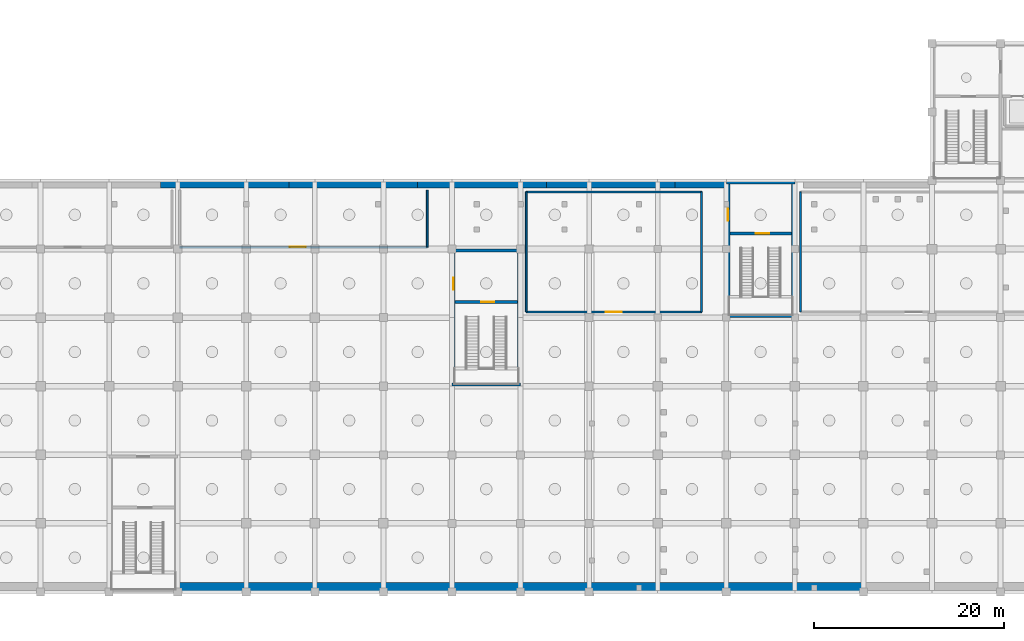
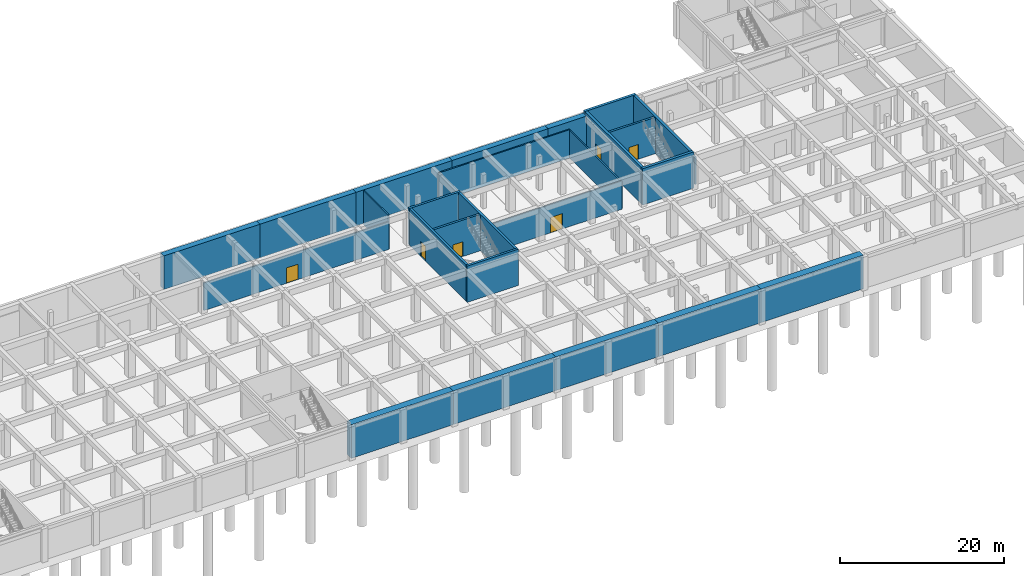
# One storey, part 8 of 15: 27 walls, 6 doors, 6 openings.
"""IFC4 building model written with IfcOpenShell, lengths in metres."""

from ifc_helpers import new_model, si_unit, direction, frame, frame_2d, origin, place, context, subcontext, project, spatial, rectangle, extrude, material, layer, layer_set, type_object, element, fill, save


model = new_model("IFC4")

# Units and contexts
model_context = context("Model", 3, precision=1e-05, world=origin(), true_north=direction((0.0, 1.0)))
body_context = subcontext(model_context, "Body", "Model", "MODEL_VIEW")
ifc_project = project(units=[si_unit("LENGTHUNIT", "METRE"), si_unit("AREAUNIT", "SQUARE_METRE"), si_unit("VOLUMEUNIT", "CUBIC_METRE"), si_unit("PLANEANGLEUNIT", "RADIAN"), si_unit("MASSUNIT", "GRAM", prefix="KILO")], contexts=[model_context])

# Site, building, storey
site_placement = place(None, origin())
site = spatial("IfcSite", under=ifc_project, at=site_placement, CompositionType="ELEMENT")
building_placement = place(site_placement, origin())
building = spatial("IfcBuilding", under=site, at=building_placement, Name="Leyfeld Transit Interchange", CompositionType="ELEMENT")
storey_placement = place(building_placement, frame((0.0, 0.0, -10.800048828125)))
storey = spatial("IfcBuildingStorey", under=building, at=storey_placement, Name="B02", CompositionType="ELEMENT", Elevation=-10.800048828125)

# Walls
ifc_material_1 = material(Name="Concrete C35/45", Category="concrete")
ifc_layer_1 = layer(ifc_material_1, 1.0, Name="Concrete C35/45")
ifc_layer_set_1 = layer_set([ifc_layer_1], Name="Concrete C35/45")
wall_type_1 = type_object("IfcWallType", Name="WL-DW-1000", PredefinedType="USERDEFINED", material=ifc_layer_set_1)
wall_1_placement = place(storey_placement, frame((129.60009765625, 14.89990234375, 0.0), z_axis=(0.0, 0.0, 1.0), x_axis=(-1.0, 0.0, 0.0)))
element("IfcWall", 1, at=wall_1_placement, inside=storey, type_object=wall_type_1, Name="Metro Diaphragm Wall DW-B02-S01-P03", ObjectType="RETAININGWALL", PredefinedType="USERDEFINED", context=body_context, shape_type="SweptSolid", body=[
    extrude(rectangle(XDim=14.400146484375, YDim=1.0, at=frame_2d((7.2001953125, 0.0))), origin(), (0.0, 0.0, 1.0), 5.0),
])
wall_2_placement = place(storey_placement, frame((115.199951171875, 14.89990234375, 0.0), z_axis=(0.0, 0.0, 1.0), x_axis=(-1.0, 0.0, 0.0)))
element("IfcWall", 2, at=wall_2_placement, inside=storey, type_object=wall_type_1, Name="Metro Diaphragm Wall DW-B02-S01-P04", ObjectType="RETAININGWALL", PredefinedType="USERDEFINED", context=body_context, shape_type="SweptSolid", body=[
    extrude(rectangle(XDim=14.39990234375, YDim=1.0, at=frame_2d((7.199951171875, 0.0))), origin(), (0.0, 0.0, 1.0), 5.0),
])
wall_3_placement = place(storey_placement, frame((100.800048828125, 14.89990234375, 0.0), z_axis=(0.0, 0.0, 1.0), x_axis=(-1.0, 0.0, 0.0)))
element("IfcWall", 3, at=wall_3_placement, inside=storey, type_object=wall_type_1, Name="Metro Diaphragm Wall DW-B02-S01-P05", ObjectType="RETAININGWALL", PredefinedType="USERDEFINED", context=body_context, shape_type="SweptSolid", body=[
    extrude(rectangle(XDim=14.400146484375, YDim=1.0, at=frame_2d((7.2001953125, 0.0))), origin(), (0.0, 0.0, 1.0), 5.0),
])
wall_4_placement = place(storey_placement, frame((86.39990234375, 14.89990234375, 0.0), z_axis=(0.0, 0.0, 1.0), x_axis=(-1.0, 0.0, 0.0)))
element("IfcWall", 4, at=wall_4_placement, inside=storey, type_object=wall_type_1, Name="Metro Diaphragm Wall DW-B02-S01-P06", ObjectType="RETAININGWALL", PredefinedType="USERDEFINED", context=body_context, shape_type="SweptSolid", body=[
    extrude(rectangle(XDim=14.39990234375, YDim=1.0, at=frame_2d((7.199951171875, 0.0))), origin(), (0.0, 0.0, 1.0), 5.0),
])
wall_5_placement = place(storey_placement, frame((72.0, 14.89990234375, 0.0), z_axis=(0.0, 0.0, 1.0), x_axis=(-1.0, 0.0, 0.0)))
element("IfcWall", 5, at=wall_5_placement, inside=storey, type_object=wall_type_1, Name="Metro Diaphragm Wall DW-B02-S01-P07", ObjectType="RETAININGWALL", PredefinedType="USERDEFINED", context=body_context, shape_type="SweptSolid", body=[
    extrude(rectangle(XDim=14.35009765625, YDim=1.0, at=frame_2d((7.175048828125, 0.0))), origin(), (0.0, 0.0, 1.0), 5.0),
])
ifc_layer_2 = layer(ifc_material_1, 0.800048828125, Name="Concrete C35/45")
ifc_layer_set_2 = layer_set([ifc_layer_2], Name="Concrete C35/45")
wall_type_2 = type_object("IfcWallType", Name="WL-DW-800", PredefinedType="USERDEFINED", material=ifc_layer_set_2)
for number, where, z_axis, x_axis, name in (
    (6, (55.800048828125, 57.199951171875, 0.0), (0.0, 0.0, 1.0), (1.0, 0.0, 0.0), "Metro Diaphragm Wall DW-B02-S06-P03"),
    (7, (69.300048828125, 57.199951171875, 0.0), (0.0, 0.0, 1.0), (1.0, 0.0, 0.0), "Metro Diaphragm Wall DW-B02-S06-P04"),
    (8, (82.800048828125, 57.199951171875, 0.0), (0.0, 0.0, 1.0), (1.0, 0.0, 0.0), "Metro Diaphragm Wall DW-B02-S06-P05"),
    (9, (96.300048828125, 57.199951171875, 0.0), (0.0, 0.0, 1.0), (1.0, 0.0, 0.0), "Metro Diaphragm Wall DW-B02-S06-P06"),
):
    element("IfcWall", number, at=place(storey_placement, frame(where, z_axis=z_axis, x_axis=x_axis)), inside=storey, type_object=wall_type_2, Name=name, ObjectType="RETAININGWALL", PredefinedType="USERDEFINED", context=body_context, shape_type="SweptSolid", body=[
        extrude(rectangle(XDim=13.5, YDim=0.800048828125, at=frame_2d((6.75, 0.0))), origin(), (0.0, 0.0, 1.0), 5.0),
    ])
wall_6_placement = place(storey_placement, frame((109.800048828125, 57.199951171875, 0.0), z_axis=(0.0, 0.0, 1.0), x_axis=(1.0, 0.0, 0.0)))
element("IfcWall", 10, at=wall_6_placement, inside=storey, type_object=wall_type_2, Name="Metro Diaphragm Wall DW-B02-S06-P07", ObjectType="RETAININGWALL", PredefinedType="USERDEFINED", context=body_context, shape_type="SweptSolid", body=[
    extrude(rectangle(XDim=5.349853515625, YDim=0.800048828125, at=frame_2d((2.6748046875, 0.0))), origin(), (0.0, 0.0, 1.0), 5.0),
])
ifc_material_2 = material(Name="Calcium silicate masonry", Category="masonry")
ifc_layer_3 = layer(ifc_material_2, 0.18994140625, Name="Calcium silicate masonry")
ifc_layer_set_3 = layer_set([ifc_layer_3], Name="Calcium silicate masonry")
wall_type_3 = type_object("IfcWallType", Name="WL-INT-PLT-190", PredefinedType="PARTITIONING", material=ifc_layer_set_3)
wall_7_placement = place(storey_placement, frame((94.199951171875, 56.39990234375, 0.0), z_axis=(0.0, 0.0, 1.0), x_axis=(1.0, 0.0, 0.0)))
element("IfcWall", 11, at=wall_7_placement, inside=storey, type_object=wall_type_3, Name="Interior Partition B02-SUB-01 N", PredefinedType="PARTITIONING", context=body_context, shape_type="SweptSolid", body=[
    extrude(rectangle(XDim=18.400146484375, YDim=0.18994140625, at=frame_2d((9.2001953125, 0.0))), origin(), (0.0, 0.0, 1.0), 4.199951171875),
])

# Wall, opening, door
wall_8_placement = place(storey_placement, frame((112.60009765625, 43.800048828125, 0.0), z_axis=(0.0, 0.0, 1.0), x_axis=(-1.0, 0.0, 0.0)))
wall_8 = element("IfcWall", 12, at=wall_8_placement, inside=storey, type_object=wall_type_3, Name="Interior Partition B02-SUB-01 S", PredefinedType="PARTITIONING", context=body_context, shape_type="SweptSolid", body=[
    extrude(rectangle(XDim=18.400146484375, YDim=0.18994140625, at=frame_2d((9.2001953125, 0.0))), origin(), (0.0, 0.0, 1.0), 4.199951171875),
])
opening_1_placement = place(wall_8_placement, frame((8.360107421875, 0.0, 0.0)))
opening_1 = element("IfcOpeningElement", 13, at=opening_1_placement, cuts=wall_8, Name="Opening DU-17", PredefinedType="OPENING", context=body_context, shape_type="SweptSolid", body=[
    extrude(rectangle(XDim=1.679931640625, YDim=2.280029296875, at=frame_2d((0.83984375, 1.14013671875))), frame((0.0, 0.10498046875, 0.0), z_axis=(0.0, -1.0, 0.0), x_axis=(1.0, 0.0, 0.0)), (0.0, 0.0, 1.0), 0.2099609375),
])
ifc_material_3 = material(Name="Austrian larch glulam GL28h", Category="wood")
door_type_1 = type_object("IfcDoorType", Name="DR-UNQ-17", OperationType="NOTDEFINED", PredefinedType="DOOR", material=ifc_material_3)
door_1_placement = place(opening_1_placement, origin())
door_1 = element("IfcDoor", 14, at=door_1_placement, inside=storey, type_object=door_type_1, Name="DR-B02-SUB-01", OperationType="DOUBLE_DOOR_SINGLE_SWING", OverallHeight=2.280029296875, OverallWidth=1.679931640625, PredefinedType="DOOR", context=body_context, shape_type="SweptSolid", body=[
    extrude(rectangle(XDim=1.679931640625, YDim=2.280029296875, at=frame_2d((0.83984375, 1.14013671875))), frame((0.0, 0.02490234375, 0.0), z_axis=(0.0, -1.0, 0.0), x_axis=(1.0, 0.0, 0.0)), (0.0, 0.0, 1.0), 0.050048828125),
])
fill(opening_1, door_1)

# Walls
for number, where, z_axis, x_axis, name in (
    (15, (112.60009765625, 56.39990234375, 0.0), (0.0, 0.0, 1.0), (0.0, -1.0, 0.0), "Interior Partition B02-SUB-01 E"),
    (16, (94.199951171875, 43.800048828125, 0.0), (0.0, 0.0, 1.0), (0.0, 1.0, 0.0), "Interior Partition B02-SUB-01 W"),
    (17, (123.0, 43.800048828125, 0.0), (0.0, 0.0, 1.0), (0.0, 1.0, 0.0), "Interior Partition B02-VNT-01 W"),
):
    element("IfcWall", number, at=place(storey_placement, frame(where, z_axis=z_axis, x_axis=x_axis)), inside=storey, type_object=wall_type_3, Name=name, PredefinedType="PARTITIONING", context=body_context, shape_type="SweptSolid", body=[
        extrude(rectangle(XDim=12.599853515625, YDim=0.18994140625, at=frame_2d((6.2998046875, 0.0))), origin(), (0.0, 0.0, 1.0), 4.10009765625),
    ])

# Wall, opening, door
wall_9_placement = place(storey_placement, frame((83.800048828125, 50.60009765625, 0.0), z_axis=(0.0, 0.0, 1.0), x_axis=(-1.0, 0.0, 0.0)))
wall_9 = element("IfcWall", 18, at=wall_9_placement, inside=storey, type_object=wall_type_3, Name="Interior Partition B02-PMP-01 S", PredefinedType="PARTITIONING", context=body_context, shape_type="SweptSolid", body=[
    extrude(rectangle(XDim=26.0, YDim=0.18994140625, at=frame_2d((13.0, 0.0))), origin(), (0.0, 0.0, 1.0), 4.10009765625),
])
opening_2_placement = place(wall_9_placement, frame((12.760009765625, 0.0, 0.0)))
opening_2 = element("IfcOpeningElement", 19, at=opening_2_placement, cuts=wall_9, Name="Opening DU-17", PredefinedType="OPENING", context=body_context, shape_type="SweptSolid", body=[
    extrude(rectangle(XDim=1.679931640625, YDim=2.280029296875, at=frame_2d((0.83984375, 1.14013671875))), frame((0.0, 0.10498046875, 0.0), z_axis=(0.0, -1.0, 0.0), x_axis=(1.0, 0.0, 0.0)), (0.0, 0.0, 1.0), 0.2099609375),
])
door_2_placement = place(opening_2_placement, origin())
door_2 = element("IfcDoor", 20, at=door_2_placement, inside=storey, type_object=door_type_1, Name="DR-B02-PMP-01", OperationType="DOUBLE_DOOR_SINGLE_SWING", OverallHeight=2.280029296875, OverallWidth=1.679931640625, PredefinedType="DOOR", context=body_context, shape_type="SweptSolid", body=[
    extrude(rectangle(XDim=1.679931640625, YDim=2.280029296875, at=frame_2d((0.83984375, 1.14013671875))), frame((0.0, 0.02490234375, 0.0), z_axis=(0.0, -1.0, 0.0), x_axis=(1.0, 0.0, 0.0)), (0.0, 0.0, 1.0), 0.050048828125),
])
fill(opening_2, door_2)

# Wall
wall_10_placement = place(storey_placement, frame((83.800048828125, 56.60009765625, 0.0), z_axis=(0.0, 0.0, 1.0), x_axis=(0.0, -1.0, 0.0)))
element("IfcWall", 21, at=wall_10_placement, inside=storey, type_object=wall_type_3, Name="Interior Partition B02-PMP-01 E", PredefinedType="PARTITIONING", context=body_context, shape_type="SweptSolid", body=[
    extrude(rectangle(XDim=6.0, YDim=0.18994140625, at=frame_2d((3.0, 0.0))), origin(), (0.0, 0.0, 1.0), 5.050048828125),
])

# Wall, opening, door
ifc_layer_4 = layer(ifc_material_1, 0.300048828125, Name="Concrete C35/45")
ifc_layer_set_4 = layer_set([ifc_layer_4], Name="Concrete C35/45")
wall_type_4 = type_object("IfcWallType", Name="WL-SH-300", PredefinedType="SHEAR", material=ifc_layer_set_4)
wall_11_placement = place(storey_placement, frame((86.719970703125, 44.85009765625, 0.0), z_axis=(0.0, 0.0, 1.0), x_axis=(1.0, 0.0, 0.0)))
wall_11 = element("IfcWall", 22, at=wall_11_placement, inside=storey, type_object=wall_type_4, Name="Core K7 Shear Wall STRN B02", PredefinedType="SHEAR", context=body_context, shape_type="SweptSolid", body=[
    extrude(rectangle(XDim=6.56005859375, YDim=0.300048828125, at=frame_2d((3.280029296875, 0.0))), origin(), (0.0, 0.0, 1.0), 5.400146484375),
])
opening_3_placement = place(wall_11_placement, frame((2.739990234375, 0.0, 0.0)))
opening_3 = element("IfcOpeningElement", 23, at=opening_3_placement, cuts=wall_11, Name="Opening DI-01", PredefinedType="OPENING", context=body_context, shape_type="SweptSolid", body=[
    extrude(rectangle(XDim=1.39990234375, YDim=2.199951171875, at=frame_2d((0.699951171875, 1.10009765625))), frame((0.0, 0.159912109375, 0.0), z_axis=(0.0, -1.0, 0.0), x_axis=(1.0, 0.0, 0.0)), (0.0, 0.0, 1.0), 0.320068359375),
])
ifc_material_4 = material(Name="Galvanised steel S275JR", Category="steel")
door_type_2 = type_object("IfcDoorType", Name="DR-STR-1400x2200", OperationType="NOTDEFINED", PredefinedType="DOOR", material=ifc_material_4)
door_3_placement = place(opening_3_placement, origin())
door_3 = element("IfcDoor", 24, at=door_3_placement, inside=storey, type_object=door_type_2, Name="DR-STR-INT-K7-B02", OperationType="SINGLE_SWING_RIGHT", OverallHeight=2.199951171875, OverallWidth=1.39990234375, PredefinedType="DOOR", context=body_context, shape_type="SweptSolid", body=[
    extrude(rectangle(XDim=1.39990234375, YDim=2.199951171875, at=frame_2d((0.699951171875, 1.10009765625))), frame((0.0, 0.02490234375, 0.0), z_axis=(0.0, -1.0, 0.0), x_axis=(1.0, 0.0, 0.0)), (0.0, 0.0, 1.0), 0.050048828125),
])
fill(opening_3, door_3)

wall_12_placement = place(storey_placement, frame((115.570068359375, 52.050048828125, 0.0), z_axis=(0.0, 0.0, 1.0), x_axis=(1.0, 0.0, 0.0)))
wall_12 = element("IfcWall", 25, at=wall_12_placement, inside=storey, type_object=wall_type_4, Name="Core K9 Shear Wall STRN B02", PredefinedType="SHEAR", context=body_context, shape_type="SweptSolid", body=[
    extrude(rectangle(XDim=6.4599609375, YDim=0.300048828125, at=frame_2d((3.22998046875, 0.0))), origin(), (0.0, 0.0, 1.0), 5.400146484375),
])
opening_4_placement = place(wall_12_placement, frame((2.715087890625, 0.0, 0.0)))
opening_4 = element("IfcOpeningElement", 26, at=opening_4_placement, cuts=wall_12, Name="Opening DI-01", PredefinedType="OPENING", context=body_context, shape_type="SweptSolid", body=[
    extrude(rectangle(XDim=1.39990234375, YDim=2.199951171875, at=frame_2d((0.699951171875, 1.10009765625))), frame((0.0, 0.159912109375, 0.0), z_axis=(0.0, -1.0, 0.0), x_axis=(1.0, 0.0, 0.0)), (0.0, 0.0, 1.0), 0.320068359375),
])
door_4_placement = place(opening_4_placement, origin())
door_4 = element("IfcDoor", 27, at=door_4_placement, inside=storey, type_object=door_type_2, Name="DR-STR-INT-K9-B02", OperationType="SINGLE_SWING_RIGHT", OverallHeight=2.199951171875, OverallWidth=1.39990234375, PredefinedType="DOOR", context=body_context, shape_type="SweptSolid", body=[
    extrude(rectangle(XDim=1.39990234375, YDim=2.199951171875, at=frame_2d((0.699951171875, 1.10009765625))), frame((0.0, 0.02490234375, 0.0), z_axis=(0.0, -1.0, 0.0), x_axis=(1.0, 0.0, 0.0)), (0.0, 0.0, 1.0), 0.050048828125),
])
fill(opening_4, door_4)

# Walls
ifc_layer_5 = layer(ifc_material_1, 0.320068359375, Name="Concrete C35/45")
ifc_layer_set_5 = layer_set([ifc_layer_5], Name="Concrete C35/45")
wall_type_5 = type_object("IfcWallType", Name="WL-SH-VAR-320", PredefinedType="SHEAR", material=ifc_layer_set_5)
wall_13_placement = place(storey_placement, frame((86.39990234375, 50.239990234375, 0.0), z_axis=(0.0, 0.0, 1.0), x_axis=(1.0, 0.0, 0.0)))
element("IfcWall", 28, at=wall_13_placement, inside=storey, type_object=wall_type_5, Name="Core K7 Shear Wall N B02", PredefinedType="SHEAR", context=body_context, shape_type="SweptSolid", body=[
    extrude(rectangle(XDim=7.2001953125, YDim=0.320068359375, at=frame_2d((3.60009765625, 0.0))), origin(), (0.0, 0.0, 1.0), 5.400146484375),
])
wall_14_placement = place(storey_placement, frame((93.43994140625, 50.080078125, 0.0), z_axis=(0.0, 0.0, 1.0), x_axis=(0.0, -1.0, 0.0)))
element("IfcWall", 29, at=wall_14_placement, inside=storey, type_object=wall_type_5, Name="Core K7 Shear Wall E B02", PredefinedType="SHEAR", context=body_context, shape_type="SweptSolid", body=[
    extrude(rectangle(XDim=13.760009765625, YDim=0.320068359375, at=frame_2d((6.8798828125, 0.0))), origin(), (0.0, 0.0, 1.0), 5.400146484375),
])
wall_15_placement = place(storey_placement, frame((93.60009765625, 36.159912109375, 0.0), z_axis=(0.0, 0.0, 1.0), x_axis=(-1.0, 0.0, 0.0)))
element("IfcWall", 30, at=wall_15_placement, inside=storey, type_object=wall_type_5, Name="Core K7 Shear Wall S B02", PredefinedType="SHEAR", context=body_context, shape_type="SweptSolid", body=[
    extrude(rectangle(XDim=7.2001953125, YDim=0.320068359375, at=frame_2d((3.60009765625, 0.0))), origin(), (0.0, 0.0, 1.0), 5.400146484375),
])

# Wall, opening, door
wall_16_placement = place(storey_placement, frame((86.56005859375, 36.320068359375, 0.0), z_axis=(0.0, 0.0, 1.0), x_axis=(0.0, 1.0, 0.0)))
wall_16 = element("IfcWall", 31, at=wall_16_placement, inside=storey, type_object=wall_type_5, Name="Core K7 Shear Wall W B02", PredefinedType="SHEAR", context=body_context, shape_type="SweptSolid", body=[
    extrude(rectangle(XDim=13.760009765625, YDim=0.320068359375, at=frame_2d((6.8798828125, 0.0))), origin(), (0.0, 0.0, 1.0), 5.400146484375),
])
opening_5_placement = place(wall_16_placement, frame((9.800048828125, 0.0, 0.0)))
opening_5 = element("IfcOpeningElement", 32, at=opening_5_placement, cuts=wall_16, Name="Opening DI-02", PredefinedType="OPENING", context=body_context, shape_type="SweptSolid", body=[
    extrude(rectangle(XDim=1.25, YDim=2.199951171875, at=frame_2d((0.625, 1.10009765625))), frame((0.0, 0.169921875, 0.0), z_axis=(0.0, -1.0, 0.0), x_axis=(1.0, 0.0, 0.0)), (0.0, 0.0, 1.0), 0.340087890625),
])
door_type_3 = type_object("IfcDoorType", Name="DR-FFL-1250x2200", OperationType="NOTDEFINED", PredefinedType="DOOR", material=ifc_material_4)
door_5_placement = place(opening_5_placement, origin())
door_5 = element("IfcDoor", 33, at=door_5_placement, inside=storey, type_object=door_type_3, Name="DR-CORE-OUT-K7-B02", OperationType="SINGLE_SWING_LEFT", OverallHeight=2.199951171875, OverallWidth=1.25, PredefinedType="DOOR", context=body_context, shape_type="SweptSolid", body=[
    extrude(rectangle(XDim=1.25, YDim=2.199951171875, at=frame_2d((0.625, 1.10009765625))), frame((0.0, 0.02490234375, 0.0), z_axis=(0.0, -1.0, 0.0), x_axis=(1.0, 0.0, 0.0)), (0.0, 0.0, 1.0), 0.050048828125),
])
fill(opening_5, door_5)

# Walls
ifc_layer_6 = layer(ifc_material_1, 0.3701171875, Name="Concrete C35/45")
ifc_layer_set_6 = layer_set([ifc_layer_6], Name="Concrete C35/45")
wall_type_6 = type_object("IfcWallType", Name="WL-SH-VAR-370", PredefinedType="SHEAR", material=ifc_layer_set_6)
wall_17_placement = place(storey_placement, frame((115.199951171875, 57.4150390625, 0.0), z_axis=(0.0, 0.0, 1.0), x_axis=(1.0, 0.0, 0.0)))
element("IfcWall", 34, at=wall_17_placement, inside=storey, type_object=wall_type_6, Name="Core K9 Shear Wall N B02", PredefinedType="SHEAR", context=body_context, shape_type="SweptSolid", body=[
    extrude(rectangle(XDim=7.199951171875, YDim=0.3701171875, at=frame_2d((3.60009765625, 0.0))), origin(), (0.0, 0.0, 1.0), 5.400146484375),
])
wall_18_placement = place(storey_placement, frame((122.215087890625, 57.22998046875, 0.0), z_axis=(0.0, 0.0, 1.0), x_axis=(0.0, -1.0, 0.0)))
element("IfcWall", 35, at=wall_18_placement, inside=storey, type_object=wall_type_6, Name="Core K9 Shear Wall E B02", PredefinedType="SHEAR", context=body_context, shape_type="SweptSolid", body=[
    extrude(rectangle(XDim=13.659912109375, YDim=0.3701171875, at=frame_2d((6.830078125, 0.0))), origin(), (0.0, 0.0, 1.0), 5.400146484375),
])
wall_19_placement = place(storey_placement, frame((122.39990234375, 43.385009765625, 0.0), z_axis=(0.0, 0.0, 1.0), x_axis=(-1.0, 0.0, 0.0)))
element("IfcWall", 36, at=wall_19_placement, inside=storey, type_object=wall_type_6, Name="Core K9 Shear Wall S B02", PredefinedType="SHEAR", context=body_context, shape_type="SweptSolid", body=[
    extrude(rectangle(XDim=7.199951171875, YDim=0.3701171875, at=frame_2d((3.60009765625, 0.0))), origin(), (0.0, 0.0, 1.0), 5.400146484375),
])

# Wall, opening, door
wall_20_placement = place(storey_placement, frame((115.385009765625, 43.570068359375, 0.0), z_axis=(0.0, 0.0, 1.0), x_axis=(0.0, 1.0, 0.0)))
wall_20 = element("IfcWall", 37, at=wall_20_placement, inside=storey, type_object=wall_type_6, Name="Core K9 Shear Wall W B02", PredefinedType="SHEAR", context=body_context, shape_type="SweptSolid", body=[
    extrude(rectangle(XDim=13.659912109375, YDim=0.3701171875, at=frame_2d((6.830078125, 0.0))), origin(), (0.0, 0.0, 1.0), 5.400146484375),
])
opening_6_placement = place(wall_20_placement, frame((9.800048828125, 0.0, 0.0)))
opening_6 = element("IfcOpeningElement", 38, at=opening_6_placement, cuts=wall_20, Name="Opening DI-02", PredefinedType="OPENING", context=body_context, shape_type="SweptSolid", body=[
    extrude(rectangle(XDim=1.25, YDim=2.199951171875, at=frame_2d((0.625, 1.10009765625))), frame((0.0, 0.195068359375, 0.0), z_axis=(0.0, -1.0, 0.0), x_axis=(1.0, 0.0, 0.0)), (0.0, 0.0, 1.0), 0.39013671875),
])
door_6_placement = place(opening_6_placement, origin())
door_6 = element("IfcDoor", 39, at=door_6_placement, inside=storey, type_object=door_type_3, Name="DR-CORE-OUT-K9-B02", OperationType="SINGLE_SWING_LEFT", OverallHeight=2.199951171875, OverallWidth=1.25, PredefinedType="DOOR", context=body_context, shape_type="SweptSolid", body=[
    extrude(rectangle(XDim=1.25, YDim=2.199951171875, at=frame_2d((0.625, 1.10009765625))), frame((0.0, 0.02490234375, 0.0), z_axis=(0.0, -1.0, 0.0), x_axis=(1.0, 0.0, 0.0)), (0.0, 0.0, 1.0), 0.050048828125),
])
fill(opening_6, door_6)

save(model, "model.ifc")
